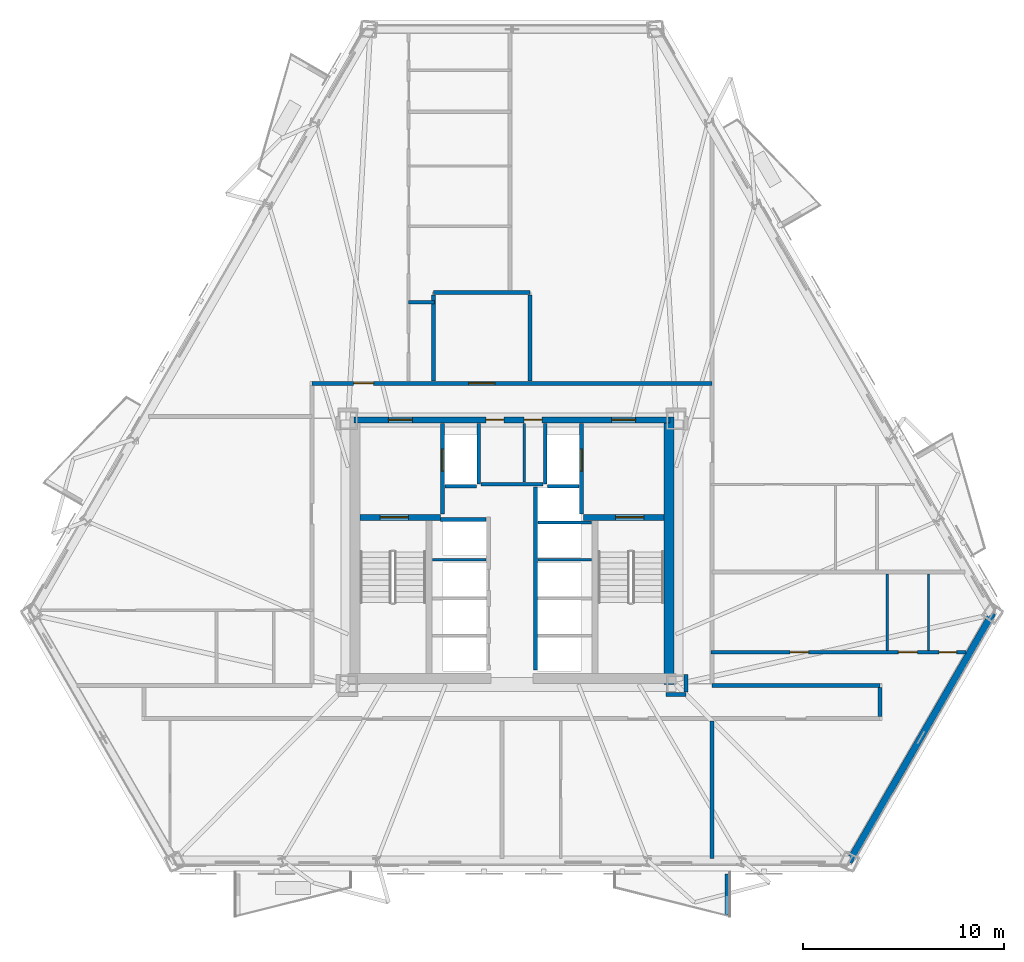
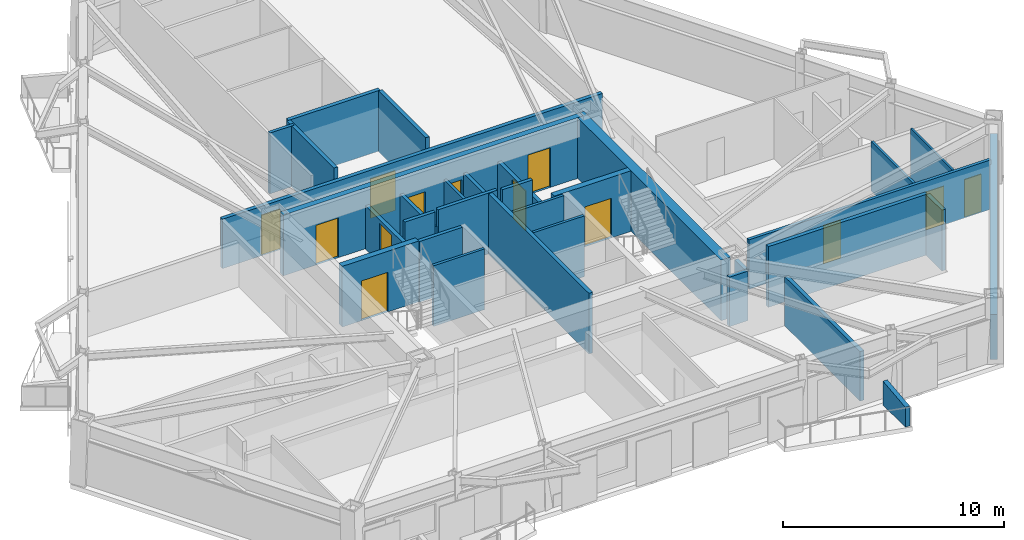
# One storey, part 4 of 10: 32 walls, 13 doors, 13 openings.
"""IFC4 building model written with IfcOpenShell, lengths in metres."""

from ifc_helpers import new_model, si_unit, direction, frame, frame_2d, origin, place, context, subcontext, project, spatial, polyline, rectangle, outline, extrude, material, layer, layer_set, type_object, element, fill, save


model = new_model("IFC4")

# Units and contexts
model_context = context("Model", 3, precision=1e-05, world=origin(), true_north=direction((0.0, 1.0)))
body_context = subcontext(model_context, "Body", "Model", "MODEL_VIEW")
ifc_project = project(units=[si_unit("LENGTHUNIT", "METRE"), si_unit("AREAUNIT", "SQUARE_METRE"), si_unit("VOLUMEUNIT", "CUBIC_METRE"), si_unit("PLANEANGLEUNIT", "RADIAN"), si_unit("MASSUNIT", "GRAM", prefix="KILO")], contexts=[model_context])

# Site, building, storey
site_placement = place(None, origin())
site = spatial("IfcSite", under=ifc_project, at=site_placement, CompositionType="ELEMENT")
building_placement = place(site_placement, origin())
building = spatial("IfcBuilding", under=site, at=building_placement, Name="Oramaril Tower", CompositionType="ELEMENT")
storey_placement = place(building_placement, frame((0.0, 0.0, 56.10009765625)))
storey = spatial("IfcBuildingStorey", under=building, at=storey_placement, Name="L14", CompositionType="ELEMENT", Elevation=56.10009765625)

# Walls
ifc_material_1 = material(Name="Warm Cream Limestone", Category="masonry")
ifc_layer_1 = layer(ifc_material_1, 0.340087890625)
ifc_layer_set_1 = layer_set([ifc_layer_1], Name="WT-EXT34")
wall_type_1 = type_object("IfcWallType", Name="WT-EXT34", PredefinedType="SOLIDWALL", material=ifc_layer_set_1)
wall_1_placement = place(storey_placement, frame((54.246826171875, 2.17626953125, 0.0), z_axis=(0.0, 0.0, 1.0), x_axis=(0.500012153807, 0.866018386667, 0.0)))
element("IfcWall", 1, at=wall_1_placement, inside=storey, type_object=wall_type_1, Name="L14 Tower Limestone Facade Wall 3M", PredefinedType="SOLIDWALL", context=body_context, shape_type="SweptSolid", body=[
    extrude(rectangle(XDim=14.298095703125, YDim=0.340087890625, at=frame_2d((7.14892578125, 0.0))), origin(), (0.0, 0.0, 1.0), 2.493896484375),
])
ifc_material_2 = material(Name="Concrete C40/50", Category="concrete")
ifc_layer_2 = layer(ifc_material_2, 0.22998046875)
ifc_layer_set_2 = layer_set([ifc_layer_2], Name="WT-PRP23")
wall_type_2 = type_object("IfcWallType", Name="WT-PRP23", PredefinedType="PARAPET", material=ifc_layer_set_2)
wall_2_placement = place(storey_placement, frame((48.20751953125, 1.578125, 0.0), z_axis=(0.0, 0.0, 1.0), x_axis=(0.0, -1.0, 0.0)))
element("IfcWall", 2, at=wall_2_placement, inside=storey, type_object=wall_type_2, Name="L14 Trapezoidal Balcony Frame Cheek L14-BAL-S2-R", PredefinedType="PARAPET", context=body_context, shape_type="SweptSolid", body=[
    extrude(outline(polyline([(0.0, 0.0), (2.0419921875, 0.0), (2.0419921875, 1.099853515625), (0.0, 1.31982421875), (0.0, 0.0)])), frame((0.0, 0.114990234375, 0.0), z_axis=(0.0, -1.0, 0.0), x_axis=(1.0, 0.0, 0.0)), (0.0, 0.0, 1.0), 0.22998046875),
])
ifc_material_3 = material(Name="Acoustic Gypsum Board Partition")
ifc_layer_3 = layer(ifc_material_3, 0.10009765625)
ifc_layer_set_3 = layer_set([ifc_layer_3], Name="WT-PT10")
wall_type_3 = type_object("IfcWallType", Name="WT-PT10", PredefinedType="PARTITIONING", material=ifc_layer_set_3)
wall_3_placement = place(storey_placement, frame((58.199951171875, 12.68408203125, 0.0), z_axis=(0.0, 0.0, 1.0), x_axis=(0.0, 1.0, 0.0)))
element("IfcWall", 3, at=wall_3_placement, inside=storey, type_object=wall_type_3, Name="L14 Interior Partition PT-10", PredefinedType="PARTITIONING", context=body_context, shape_type="SweptSolid", body=[
    extrude(rectangle(XDim=3.81201171875, YDim=0.10009765625, at=frame_2d((1.906005859375, 0.0))), origin(), (0.0, 0.0, 1.0), 2.73779296875),
])
ifc_material_4 = material(Name="Acoustic Gypsum Board Partition")
ifc_layer_4 = layer(ifc_material_4, 0.1201171875)
ifc_layer_set_4 = layer_set([ifc_layer_4], Name="WT-PT12")
wall_type_4 = type_object("IfcWallType", Name="WT-PT12", PredefinedType="PARTITIONING", material=ifc_layer_set_4)
wall_4_placement = place(storey_placement, frame((56.14990234375, 12.68408203125, 0.0), z_axis=(0.0, 0.0, 1.0), x_axis=(0.0, 1.0, 0.0)))
element("IfcWall", 4, at=wall_4_placement, inside=storey, type_object=wall_type_4, Name="L14 Interior Partition PT-12", PredefinedType="PARTITIONING", context=body_context, shape_type="SweptSolid", body=[
    extrude(rectangle(XDim=3.81201171875, YDim=0.1201171875, at=frame_2d((1.906005859375, 0.0))), origin(), (0.0, 0.0, 1.0), 2.73779296875),
])
ifc_material_5 = material(Name="Acoustic Gypsum Board Partition")
ifc_layer_5 = layer(ifc_material_5, 0.139892578125)
ifc_layer_set_5 = layer_set([ifc_layer_5], Name="WT-PT14")
wall_type_5 = type_object("IfcWallType", Name="WT-PT14", PredefinedType="PARTITIONING", material=ifc_layer_set_5)
for number, where, z_axis, x_axis, name in (
    (5, (33.56005859375, 17.199951171875, 0.0), (0.0, 0.0, 1.0), (1.0, 0.0, 0.0), "L14 West Lift Divider"),
    (6, (38.780029296875, 17.199951171875, 0.0), (0.0, 0.0, 1.0), (1.0, 0.0, 0.0), "L14 East Lift Divider"),
    (7, (38.780029296875, 19.050048828125, 0.0), (0.0, 0.0, 1.0), (1.0, 0.0, 0.0), "L14 East Lift Divider"),
):
    element("IfcWall", number, at=place(storey_placement, frame(where, z_axis=z_axis, x_axis=x_axis)), inside=storey, type_object=wall_type_5, Name=name, PredefinedType="PARTITIONING", context=body_context, shape_type="SweptSolid", body=[
        extrude(rectangle(XDim=2.659912109375, YDim=0.139892578125, at=frame_2d((1.330078125, 0.0))), origin(), (0.0, 0.0, 1.0), 3.35986328125),
    ])
wall_5_placement = place(storey_placement, frame((38.110107421875, 21.06005859375, 0.0), z_axis=(0.0, 0.0, 1.0), x_axis=(0.0, 1.0, 0.0)))
element("IfcWall", 8, at=wall_5_placement, inside=storey, type_object=wall_type_5, Name="L14 Core Service Divider", PredefinedType="PARTITIONING", context=body_context, shape_type="SweptSolid", body=[
    extrude(rectangle(XDim=2.919921875, YDim=0.139892578125, at=frame_2d((1.4599609375, 0.0))), origin(), (0.0, 0.0, 1.0), 2.39990234375),
])

# Wall, openings, doors
ifc_material_6 = material(Name="Acoustic Gypsum Board Partition")
ifc_layer_6 = layer(ifc_material_6, 0.159912109375)
ifc_layer_set_6 = layer_set([ifc_layer_6], Name="WT-PT16")
wall_type_6 = type_object("IfcWallType", Name="WT-PT16", PredefinedType="PARTITIONING", material=ifc_layer_set_6)
wall_6_placement = place(storey_placement, frame((47.39990234375, 12.60009765625, 0.0), z_axis=(0.0, 0.0, 1.0), x_axis=(1.0, 0.0, 0.0)))
wall_6 = element("IfcWall", 9, at=wall_6_placement, inside=storey, type_object=wall_type_6, Name="L14 Interior Partition PT-16", PredefinedType="PARTITIONING", context=body_context, shape_type="SweptSolid", body=[
    extrude(rectangle(XDim=12.664306640625, YDim=0.159912109375, at=frame_2d((6.33203125, 0.0))), origin(), (0.0, 0.0, 1.0), 2.73779296875),
])
opening_1_placement = place(wall_6_placement, frame((3.927001953125, 0.0, 0.0)))
opening_1 = element("IfcOpeningElement", 10, at=opening_1_placement, cuts=wall_6, Name="Opening D-L14-04", PredefinedType="OPENING", context=body_context, shape_type="SweptSolid", body=[
    extrude(rectangle(XDim=0.919921875, YDim=2.1201171875, at=frame_2d((0.4599609375, 1.06005859375))), frame((0.0, 0.080078125, 0.0), z_axis=(0.0, -1.0, 0.0), x_axis=(1.0, 0.0, 0.0)), (0.0, 0.0, 1.0), 0.159912109375),
])
opening_2_placement = place(wall_6_placement, frame((9.3037109375, 0.0, 0.0)))
opening_2 = element("IfcOpeningElement", 11, at=opening_2_placement, cuts=wall_6, Name="Opening D-L14-05", PredefinedType="OPENING", context=body_context, shape_type="SweptSolid", body=[
    extrude(rectangle(XDim=0.949951171875, YDim=2.10009765625, at=frame_2d((0.47509765625, 1.050048828125))), frame((0.0, 0.080078125, 0.0), z_axis=(0.0, -1.0, 0.0), x_axis=(1.0, 0.0, 0.0)), (0.0, 0.0, 1.0), 0.159912109375),
])
opening_3_placement = place(wall_6_placement, frame((11.32373046875, 0.0, 0.0)))
opening_3 = element("IfcOpeningElement", 12, at=opening_3_placement, cuts=wall_6, Name="Opening D-L14-06", PredefinedType="OPENING", context=body_context, shape_type="SweptSolid", body=[
    extrude(rectangle(XDim=0.8798828125, YDim=2.080078125, at=frame_2d((0.43994140625, 1.0400390625))), frame((0.0, 0.080078125, 0.0), z_axis=(0.0, -1.0, 0.0), x_axis=(1.0, 0.0, 0.0)), (0.0, 0.0, 1.0), 0.159912109375),
])
ifc_material_7 = material(Name="FSC Brazilian Freijo Hardwood", Category="wood")
door_type_1 = type_object("IfcDoorType", Name="DT-BATH", OperationType="NOTDEFINED", PredefinedType="DOOR", material=ifc_material_7)
door_1_placement = place(opening_3_placement, origin())
door_1 = element("IfcDoor", 13, at=door_1_placement, inside=storey, type_object=door_type_1, Name="L14 Flat L14-U4 Bathroom Door D-L14-06", OperationType="SINGLE_SWING_LEFT", OverallHeight=2.080078125, OverallWidth=0.8798828125, PredefinedType="DOOR", context=body_context, shape_type="SweptSolid", body=[
    extrude(rectangle(XDim=0.8798828125, YDim=2.080078125, at=frame_2d((0.43994140625, 1.0400390625))), frame((0.0, 0.02490234375, 0.0), z_axis=(0.0, -1.0, 0.0), x_axis=(1.0, 0.0, 0.0)), (0.0, 0.0, 1.0), 0.050048828125),
])
fill(opening_3, door_1)
ifc_material_8 = material(Name="FSC Brazilian Freijo Hardwood", Category="wood")
door_type_2 = type_object("IfcDoorType", Name="DT-BED", OperationType="NOTDEFINED", PredefinedType="DOOR", material=ifc_material_8)
door_2_placement = place(opening_1_placement, origin())
door_2 = element("IfcDoor", 14, at=door_2_placement, inside=storey, type_object=door_type_2, Name="L14 Flat L14-U4 Master Bedroom Door D-L14-04", OperationType="SINGLE_SWING_LEFT", OverallHeight=2.1201171875, OverallWidth=0.919921875, PredefinedType="DOOR", context=body_context, shape_type="SweptSolid", body=[
    extrude(rectangle(XDim=0.919921875, YDim=2.1201171875, at=frame_2d((0.4599609375, 1.06005859375))), frame((0.0, 0.02490234375, 0.0), z_axis=(0.0, -1.0, 0.0), x_axis=(1.0, 0.0, 0.0)), (0.0, 0.0, 1.0), 0.050048828125),
])
fill(opening_1, door_2)
ifc_material_9 = material(Name="FSC Brazilian Freijo Hardwood", Category="wood")
door_type_3 = type_object("IfcDoorType", Name="DT-STDY", OperationType="NOTDEFINED", PredefinedType="DOOR", material=ifc_material_9)
door_3_placement = place(opening_2_placement, origin())
door_3 = element("IfcDoor", 15, at=door_3_placement, inside=storey, type_object=door_type_3, Name="L14 Flat L14-U4 Kitchen Door D-L14-05", OperationType="SINGLE_SWING_RIGHT", OverallHeight=2.10009765625, OverallWidth=0.949951171875, PredefinedType="DOOR", context=body_context, shape_type="SweptSolid", body=[
    extrude(rectangle(XDim=0.949951171875, YDim=2.10009765625, at=frame_2d((0.47509765625, 1.050048828125))), frame((0.0, 0.02490234375, 0.0), z_axis=(0.0, -1.0, 0.0), x_axis=(1.0, 0.0, 0.0)), (0.0, 0.0, 1.0), 0.050048828125),
])
fill(opening_2, door_3)

# Walls
wall_7_placement = place(storey_placement, frame((32.363525390625, 30.0, 0.0), z_axis=(0.0, 0.0, 1.0), x_axis=(1.0, 0.0, 0.0)))
element("IfcWall", 16, at=wall_7_placement, inside=storey, type_object=wall_type_6, Name="L14 Interior Partition PT-16", PredefinedType="PARTITIONING", context=body_context, shape_type="SweptSolid", body=[
    extrude(rectangle(XDim=1.286376953125, YDim=0.159912109375, at=frame_2d((0.64306640625, 0.0))), origin(), (0.0, 0.0, 1.0), 3.35986328125),
])
ifc_material_10 = material(Name="Autoclaved Cellular Concrete Block", Category="concrete")
ifc_layer_7 = layer(ifc_material_10, 0.179931640625)
ifc_layer_set_7 = layer_set([ifc_layer_7], Name="WT-PT18")
wall_type_7 = type_object("IfcWallType", Name="WT-PT18", PredefinedType="PARTITIONING", material=ifc_layer_set_7)
wall_8_placement = place(storey_placement, frame((35.840087890625, 20.9599609375, 0.0), z_axis=(0.0, 0.0, 1.0), x_axis=(0.0, 1.0, 0.0)))
element("IfcWall", 17, at=wall_8_placement, inside=storey, type_object=wall_type_7, Name="L14 FL-1 East Shaft Wall", PredefinedType="PARTITIONING", context=body_context, shape_type="SweptSolid", body=[
    extrude(rectangle(XDim=3.02001953125, YDim=0.179931640625, at=frame_2d((1.510009765625, 0.0))), origin(), (0.0, 0.0, 1.0), 2.39990234375),
])
wall_9_placement = place(storey_placement, frame((34.159912109375, 20.860107421875, 0.0), z_axis=(0.0, 0.0, 1.0), x_axis=(1.0, 0.0, 0.0)))
element("IfcWall", 18, at=wall_9_placement, inside=storey, type_object=wall_type_7, Name="L14 FL-1 South Shaft Wall", PredefinedType="PARTITIONING", context=body_context, shape_type="SweptSolid", body=[
    extrude(rectangle(XDim=1.580078125, YDim=0.179931640625, at=frame_2d((0.7900390625, 0.0))), origin(), (0.0, 0.0, 1.0), 3.35986328125),
])
wall_10_placement = place(storey_placement, frame((39.159912109375, 20.9599609375, 0.0), z_axis=(0.0, 0.0, 1.0), x_axis=(0.0, 1.0, 0.0)))
element("IfcWall", 19, at=wall_10_placement, inside=storey, type_object=wall_type_7, Name="L14 FL-2 West Shaft Wall", PredefinedType="PARTITIONING", context=body_context, shape_type="SweptSolid", body=[
    extrude(rectangle(XDim=3.02001953125, YDim=0.179931640625, at=frame_2d((1.510009765625, 0.0))), origin(), (0.0, 0.0, 1.0), 2.39990234375),
])
wall_11_placement = place(storey_placement, frame((39.260009765625, 20.860107421875, 0.0), z_axis=(0.0, 0.0, 1.0), x_axis=(1.0, 0.0, 0.0)))
element("IfcWall", 20, at=wall_11_placement, inside=storey, type_object=wall_type_7, Name="L14 FL-2 South Shaft Wall", PredefinedType="PARTITIONING", context=body_context, shape_type="SweptSolid", body=[
    extrude(rectangle(XDim=1.580078125, YDim=0.179931640625, at=frame_2d((0.7900390625, 0.0))), origin(), (0.0, 0.0, 1.0), 3.35986328125),
])
wall_12_placement = place(storey_placement, frame((33.949951171875, 19.199951171875, 0.0), z_axis=(0.0, 0.0, 1.0), x_axis=(1.0, 0.0, 0.0)))
element("IfcWall", 21, at=wall_12_placement, inside=storey, type_object=wall_type_7, Name="L14 High-Rise Lift H1 North Shaft Wall", PredefinedType="PARTITIONING", context=body_context, shape_type="SweptSolid", body=[
    extrude(rectangle(XDim=2.27001953125, YDim=0.179931640625, at=frame_2d((1.135009765625, 0.0))), origin(), (0.0, 0.0, 1.0), 3.35986328125),
])
wall_13_placement = place(storey_placement, frame((35.949951171875, 20.949951171875, 0.0), z_axis=(0.0, 0.0, 1.0), x_axis=(1.0, 0.0, 0.0)))
element("IfcWall", 22, at=wall_13_placement, inside=storey, type_object=wall_type_7, Name="L14 Lift Lobby North Partition", PredefinedType="PARTITIONING", context=body_context, shape_type="SweptSolid", body=[
    extrude(rectangle(XDim=3.10009765625, YDim=0.179931640625, at=frame_2d((1.550048828125, 0.0))), origin(), (0.0, 0.0, 1.0), 3.35986328125),
])
ifc_material_11 = material(Name="Autoclaved Cellular Concrete Block", Category="concrete")
ifc_layer_8 = layer(ifc_material_11, 0.199951171875)
ifc_layer_set_8 = layer_set([ifc_layer_8], Name="WT-PT20")
wall_type_8 = type_object("IfcWallType", Name="WT-PT20", PredefinedType="PARTITIONING", material=ifc_layer_set_8)
wall_14_placement = place(storey_placement, frame((45.159912109375, 10.510009765625, 0.0), z_axis=(0.0, 0.0, 1.0), x_axis=(1.0, 0.0, 0.0)))
element("IfcWall", 23, at=wall_14_placement, inside=storey, type_object=wall_type_8, Name="L14 Interior Partition PT-20", PredefinedType="PARTITIONING", context=body_context, shape_type="SweptSolid", body=[
    extrude(rectangle(XDim=0.97998046875, YDim=0.199951171875, at=frame_2d((0.489990234375, 0.0))), origin(), (0.0, 0.0, 1.0), 2.73779296875),
])
wall_15_placement = place(storey_placement, frame((47.449951171875, 10.949951171875, 0.0), z_axis=(0.0, 0.0, 1.0), x_axis=(1.0, 0.0, 0.0)))
element("IfcWall", 24, at=wall_15_placement, inside=storey, type_object=wall_type_8, Name="L14 Interior Partition PT-20", PredefinedType="PARTITIONING", context=body_context, shape_type="SweptSolid", body=[
    extrude(rectangle(XDim=8.35009765625, YDim=0.199951171875, at=frame_2d((4.175048828125, 0.0))), origin(), (0.0, 0.0, 1.0), 3.35986328125),
])

# Wall, openings, doors
wall_16_placement = place(storey_placement, frame((27.550048828125, 25.969970703125, 0.0), z_axis=(0.0, 0.0, 1.0), x_axis=(1.0, 0.0, 0.0)))
wall_16 = element("IfcWall", 25, at=wall_16_placement, inside=storey, type_object=wall_type_8, Name="L14 Interior Partition PT-20", PredefinedType="PARTITIONING", context=body_context, shape_type="SweptSolid", body=[
    extrude(rectangle(XDim=19.89990234375, YDim=0.199951171875, at=frame_2d((9.949951171875, 0.0))), origin(), (0.0, 0.0, 1.0), 2.73779296875),
])
opening_4_placement = place(wall_16_placement, frame((2.076904296875, 0.0, 0.0)))
opening_4 = element("IfcOpeningElement", 26, at=opening_4_placement, cuts=wall_16, Name="Opening D-L14-13", PredefinedType="OPENING", context=body_context, shape_type="SweptSolid", body=[
    extrude(rectangle(XDim=1.0, YDim=2.179931640625, at=frame_2d((0.5, 1.08984375))), frame((0.0, 0.10009765625, 0.0), z_axis=(0.0, -1.0, 0.0), x_axis=(1.0, 0.0, 0.0)), (0.0, 0.0, 1.0), 0.199951171875),
])
opening_5_placement = place(wall_16_placement, frame((7.800048828125, 0.0, 0.0)))
opening_5 = element("IfcOpeningElement", 27, at=opening_5_placement, cuts=wall_16, Name="Opening D-L14-14", PredefinedType="OPENING", context=body_context, shape_type="SweptSolid", body=[
    extrude(rectangle(XDim=1.300048828125, YDim=2.199951171875, at=frame_2d((0.64990234375, 1.10009765625))), frame((0.0, 0.10009765625, 0.0), z_axis=(0.0, -1.0, 0.0), x_axis=(1.0, 0.0, 0.0)), (0.0, 0.0, 1.0), 0.199951171875),
])
ifc_material_12 = material(Name="FSC Brazilian Freijo Hardwood", Category="wood")
door_type_4 = type_object("IfcDoorType", Name="DT-APT", OperationType="NOTDEFINED", PredefinedType="DOOR", material=ifc_material_12)
door_4_placement = place(opening_4_placement, origin())
door_4 = element("IfcDoor", 28, at=door_4_placement, inside=storey, type_object=door_type_4, Name="L14 Flat L14-U6 Penthouse Living and Dining Room Door D-L14-13", OperationType="SINGLE_SWING_RIGHT", OverallHeight=2.179931640625, OverallWidth=1.0, PredefinedType="DOOR", context=body_context, shape_type="SweptSolid", body=[
    extrude(rectangle(XDim=1.0, YDim=2.179931640625, at=frame_2d((0.5, 1.08984375))), frame((0.0, 0.02490234375, 0.0), z_axis=(0.0, -1.0, 0.0), x_axis=(1.0, 0.0, 0.0)), (0.0, 0.0, 1.0), 0.050048828125),
])
fill(opening_4, door_4)
ifc_material_13 = material(Name="FSC Brazilian Freijo Hardwood", Category="wood")
door_type_5 = type_object("IfcDoorType", Name="DT-COM", OperationType="NOTDEFINED", PredefinedType="DOOR", material=ifc_material_13)
door_5_placement = place(opening_5_placement, origin())
door_5 = element("IfcDoor", 29, at=door_5_placement, inside=storey, type_object=door_type_5, Name="L14 L14 Residents Reading Library Door D-L14-14", OperationType="SINGLE_SWING_LEFT", OverallHeight=2.199951171875, OverallWidth=1.300048828125, PredefinedType="DOOR", context=body_context, shape_type="SweptSolid", body=[
    extrude(rectangle(XDim=1.300048828125, YDim=2.199951171875, at=frame_2d((0.64990234375, 1.10009765625))), frame((0.0, 0.02490234375, 0.0), z_axis=(0.0, -1.0, 0.0), x_axis=(1.0, 0.0, 0.0)), (0.0, 0.0, 1.0), 0.050048828125),
])
fill(opening_5, door_5)

# Walls
wall_17_placement = place(storey_placement, frame((33.60009765625, 30.469970703125, 0.0), z_axis=(0.0, 0.0, 1.0), x_axis=(1.0, 0.0, 0.0)))
element("IfcWall", 30, at=wall_17_placement, inside=storey, type_object=wall_type_8, Name="L14 Interior Partition PT-20", PredefinedType="PARTITIONING", context=body_context, shape_type="SweptSolid", body=[
    extrude(rectangle(XDim=4.7998046875, YDim=0.199951171875, at=frame_2d((2.39990234375, 0.0))), origin(), (0.0, 0.0, 1.0), 3.35986328125),
])
for number, where, z_axis, x_axis, name in (
    (31, (33.60009765625, 26.073974609375, 0.0), (0.0, 0.0, 1.0), (0.0, 1.0, 0.0), "L14 Interior Partition PT-20"),
    (32, (38.39990234375, 26.073974609375, 0.0), (0.0, 0.0, 1.0), (0.0, 1.0, 0.0), "L14 Interior Partition PT-20"),
):
    element("IfcWall", number, at=place(storey_placement, frame(where, z_axis=z_axis, x_axis=x_axis)), inside=storey, type_object=wall_type_8, Name=name, PredefinedType="PARTITIONING", context=body_context, shape_type="SweptSolid", body=[
        extrude(rectangle(XDim=4.2919921875, YDim=0.199951171875, at=frame_2d((2.14599609375, 0.0))), origin(), (0.0, 0.0, 1.0), 3.35986328125),
    ])
wall_18_placement = place(storey_placement, frame((46.14990234375, 10.614013671875, 0.0), z_axis=(0.0, 0.0, 1.0), x_axis=(0.0, 1.0, 0.0)))
element("IfcWall", 33, at=wall_18_placement, inside=storey, type_object=wall_type_8, Name="L14 Interior Partition PT-20", PredefinedType="PARTITIONING", context=body_context, shape_type="SweptSolid", body=[
    extrude(rectangle(XDim=0.881103515625, YDim=0.199951171875, at=frame_2d((0.4404296875, 0.0))), origin(), (0.0, 0.0, 1.0), 2.73779296875),
])
wall_19_placement = place(storey_placement, frame((47.449951171875, 2.35009765625, 0.0), z_axis=(0.0, 0.0, 1.0), x_axis=(0.0, 1.0, 0.0)))
element("IfcWall", 34, at=wall_19_placement, inside=storey, type_object=wall_type_8, Name="L14 Interior Partition PT-20", PredefinedType="PARTITIONING", context=body_context, shape_type="SweptSolid", body=[
    extrude(rectangle(XDim=6.845947265625, YDim=0.199951171875, at=frame_2d((3.4228515625, 0.0))), origin(), (0.0, 0.0, 1.0), 2.73779296875),
])
wall_20_placement = place(storey_placement, frame((55.800048828125, 9.404052734375, 0.0), z_axis=(0.0, 0.0, 1.0), x_axis=(0.0, 1.0, 0.0)))
element("IfcWall", 35, at=wall_20_placement, inside=storey, type_object=wall_type_8, Name="L14 Interior Partition PT-20", PredefinedType="PARTITIONING", context=body_context, shape_type="SweptSolid", body=[
    extrude(rectangle(XDim=1.44189453125, YDim=0.199951171875, at=frame_2d((0.720947265625, 0.0))), origin(), (0.0, 0.0, 1.0), 3.35986328125),
])

# Wall, openings, doors
ifc_material_14 = material(Name="Concrete C50/60", Category="concrete")
ifc_layer_9 = layer(ifc_material_14, 0.300048828125)
ifc_layer_set_9 = layer_set([ifc_layer_9], Name="WT-SH30")
wall_type_9 = type_object("IfcWallType", Name="WT-SH30", PredefinedType="SHEAR", material=ifc_layer_set_9)
wall_21_placement = place(storey_placement, frame((29.64990234375, 24.14990234375, 0.0), z_axis=(0.0, 0.0, 1.0), x_axis=(1.0, 0.0, 0.0)))
wall_21 = element("IfcWall", 36, at=wall_21_placement, inside=storey, type_object=wall_type_9, Name="L14 Core Shear Wall CW-N", PredefinedType="SHEAR", context=body_context, shape_type="SweptSolid", body=[
    extrude(rectangle(XDim=15.7001953125, YDim=0.300048828125, at=frame_2d((7.85009765625, 0.0))), origin(), (0.0, 0.0, 1.0), 3.35986328125),
])
opening_6_placement = place(wall_21_placement, frame((1.699951171875, 0.0, 0.0)))
opening_6 = element("IfcOpeningElement", 37, at=opening_6_placement, cuts=wall_21, Name="Opening D-L14-FFL1", PredefinedType="OPENING", context=body_context, shape_type="SweptSolid", body=[
    extrude(rectangle(XDim=1.199951171875, YDim=2.199951171875, at=frame_2d((0.60009765625, 1.10009765625))), frame((0.0, 0.14990234375, 0.0), z_axis=(0.0, -1.0, 0.0), x_axis=(1.0, 0.0, 0.0)), (0.0, 0.0, 1.0), 0.300048828125),
])
opening_7_placement = place(wall_21_placement, frame((12.800048828125, 0.0, 0.0)))
opening_7 = element("IfcOpeningElement", 38, at=opening_7_placement, cuts=wall_21, Name="Opening D-L14-FFL2", PredefinedType="OPENING", context=body_context, shape_type="SweptSolid", body=[
    extrude(rectangle(XDim=1.199951171875, YDim=2.199951171875, at=frame_2d((0.60009765625, 1.10009765625))), frame((0.0, 0.14990234375, 0.0), z_axis=(0.0, -1.0, 0.0), x_axis=(1.0, 0.0, 0.0)), (0.0, 0.0, 1.0), 0.300048828125),
])
opening_8_placement = place(wall_21_placement, frame((6.550048828125, 0.0, 0.0)))
opening_8 = element("IfcOpeningElement", 39, at=opening_8_placement, cuts=wall_21, Name="Opening D-L14-SV1", PredefinedType="OPENING", context=body_context, shape_type="SweptSolid", body=[
    extrude(rectangle(XDim=0.89990234375, YDim=2.050048828125, at=frame_2d((0.449951171875, 1.02490234375))), frame((0.0, 0.14990234375, 0.0), z_axis=(0.0, -1.0, 0.0), x_axis=(1.0, 0.0, 0.0)), (0.0, 0.0, 1.0), 0.300048828125),
])
opening_9_placement = place(wall_21_placement, frame((8.449951171875, 0.0, 0.0)))
opening_9 = element("IfcOpeningElement", 40, at=opening_9_placement, cuts=wall_21, Name="Opening D-L14-SV2", PredefinedType="OPENING", context=body_context, shape_type="SweptSolid", body=[
    extrude(rectangle(XDim=0.89990234375, YDim=2.050048828125, at=frame_2d((0.449951171875, 1.02490234375))), frame((0.0, 0.14990234375, 0.0), z_axis=(0.0, -1.0, 0.0), x_axis=(1.0, 0.0, 0.0)), (0.0, 0.0, 1.0), 0.300048828125),
])
ifc_material_15 = material(Name="Painted Galvanised Steel", Category="steel")
door_type_6 = type_object("IfcDoorType", Name="DT-FFL", OperationType="NOTDEFINED", PredefinedType="DOOR", material=ifc_material_15)
door_6_placement = place(opening_6_placement, origin())
door_6 = element("IfcDoor", 41, at=door_6_placement, inside=storey, type_object=door_type_6, Name="L14 Firefighting Lobby 1 Fire Door", OperationType="SINGLE_SWING_LEFT", OverallHeight=2.199951171875, OverallWidth=1.199951171875, PredefinedType="DOOR", context=body_context, shape_type="SweptSolid", body=[
    extrude(rectangle(XDim=1.199951171875, YDim=2.199951171875, at=frame_2d((0.60009765625, 1.10009765625))), frame((0.0, 0.02490234375, 0.0), z_axis=(0.0, -1.0, 0.0), x_axis=(1.0, 0.0, 0.0)), (0.0, 0.0, 1.0), 0.050048828125),
])
fill(opening_6, door_6)
door_7_placement = place(opening_7_placement, origin())
door_7 = element("IfcDoor", 42, at=door_7_placement, inside=storey, type_object=door_type_6, Name="L14 Firefighting Lobby 2 Fire Door", OperationType="SINGLE_SWING_RIGHT", OverallHeight=2.199951171875, OverallWidth=1.199951171875, PredefinedType="DOOR", context=body_context, shape_type="SweptSolid", body=[
    extrude(rectangle(XDim=1.199951171875, YDim=2.199951171875, at=frame_2d((0.60009765625, 1.10009765625))), frame((0.0, 0.02490234375, 0.0), z_axis=(0.0, -1.0, 0.0), x_axis=(1.0, 0.0, 0.0)), (0.0, 0.0, 1.0), 0.050048828125),
])
fill(opening_7, door_7)
ifc_material_16 = material(Name="Painted Galvanised Steel", Category="steel")
door_type_7 = type_object("IfcDoorType", Name="DT-SVC", OperationType="NOTDEFINED", PredefinedType="DOOR", material=ifc_material_16)
door_8_placement = place(opening_8_placement, origin())
door_8 = element("IfcDoor", 43, at=door_8_placement, inside=storey, type_object=door_type_7, Name="L14 Core Service Store 1 Door", OperationType="SINGLE_SWING_LEFT", OverallHeight=2.050048828125, OverallWidth=0.89990234375, PredefinedType="DOOR", context=body_context, shape_type="SweptSolid", body=[
    extrude(rectangle(XDim=0.89990234375, YDim=2.050048828125, at=frame_2d((0.449951171875, 1.02490234375))), frame((0.0, 0.02490234375, 0.0), z_axis=(0.0, -1.0, 0.0), x_axis=(1.0, 0.0, 0.0)), (0.0, 0.0, 1.0), 0.050048828125),
])
fill(opening_8, door_8)
door_9_placement = place(opening_9_placement, origin())
door_9 = element("IfcDoor", 44, at=door_9_placement, inside=storey, type_object=door_type_7, Name="L14 Core Service Store 2 Door", OperationType="SINGLE_SWING_RIGHT", OverallHeight=2.050048828125, OverallWidth=0.89990234375, PredefinedType="DOOR", context=body_context, shape_type="SweptSolid", body=[
    extrude(rectangle(XDim=0.89990234375, YDim=2.050048828125, at=frame_2d((0.449951171875, 1.02490234375))), frame((0.0, 0.02490234375, 0.0), z_axis=(0.0, -1.0, 0.0), x_axis=(1.0, 0.0, 0.0)), (0.0, 0.0, 1.0), 0.050048828125),
])
fill(opening_9, door_9)

# Wall, opening, door
wall_22_placement = place(storey_placement, frame((29.93994140625, 19.31005859375, 0.0), z_axis=(0.0, 0.0, 1.0), x_axis=(1.0, 0.0, 0.0)))
wall_22 = element("IfcWall", 45, at=wall_22_placement, inside=storey, type_object=wall_type_9, Name="L14 Core Shear Wall CW-ST1N", PredefinedType="SHEAR", context=body_context, shape_type="SweptSolid", body=[
    extrude(rectangle(XDim=4.010009765625, YDim=0.300048828125, at=frame_2d((2.0048828125, 0.0))), origin(), (0.0, 0.0, 1.0), 3.35986328125),
])
opening_10_placement = place(wall_22_placement, frame((1.010009765625, 0.0, 0.0)))
opening_10 = element("IfcOpeningElement", 46, at=opening_10_placement, cuts=wall_22, Name="Opening D-L14-ST1", PredefinedType="OPENING", context=body_context, shape_type="SweptSolid", body=[
    extrude(rectangle(XDim=1.39990234375, YDim=2.199951171875, at=frame_2d((0.699951171875, 1.10009765625))), frame((0.0, 0.14990234375, 0.0), z_axis=(0.0, -1.0, 0.0), x_axis=(1.0, 0.0, 0.0)), (0.0, 0.0, 1.0), 0.300048828125),
])
ifc_material_17 = material(Name="Painted Galvanised Steel", Category="steel")
door_type_8 = type_object("IfcDoorType", Name="DT-ST", OperationType="NOTDEFINED", PredefinedType="DOOR", material=ifc_material_17)
door_10_placement = place(opening_10_placement, origin())
door_10 = element("IfcDoor", 47, at=door_10_placement, inside=storey, type_object=door_type_8, Name="L14 Protected Stair ST-1 Fire Door", OperationType="SINGLE_SWING_LEFT", OverallHeight=2.199951171875, OverallWidth=1.39990234375, PredefinedType="DOOR", context=body_context, shape_type="SweptSolid", body=[
    extrude(rectangle(XDim=1.39990234375, YDim=2.199951171875, at=frame_2d((0.699951171875, 1.10009765625))), frame((0.0, 0.02490234375, 0.0), z_axis=(0.0, -1.0, 0.0), x_axis=(1.0, 0.0, 0.0)), (0.0, 0.0, 1.0), 0.050048828125),
])
fill(opening_10, door_10)

wall_23_placement = place(storey_placement, frame((41.050048828125, 19.31005859375, 0.0), z_axis=(0.0, 0.0, 1.0), x_axis=(1.0, 0.0, 0.0)))
wall_23 = element("IfcWall", 48, at=wall_23_placement, inside=storey, type_object=wall_type_9, Name="L14 Core Shear Wall CW-ST2N", PredefinedType="SHEAR", context=body_context, shape_type="SweptSolid", body=[
    extrude(rectangle(XDim=4.010009765625, YDim=0.300048828125, at=frame_2d((2.0048828125, 0.0))), origin(), (0.0, 0.0, 1.0), 3.35986328125),
])
opening_11_placement = place(wall_23_placement, frame((1.60009765625, 0.0, 0.0)))
opening_11 = element("IfcOpeningElement", 49, at=opening_11_placement, cuts=wall_23, Name="Opening D-L14-ST2", PredefinedType="OPENING", context=body_context, shape_type="SweptSolid", body=[
    extrude(rectangle(XDim=1.39990234375, YDim=2.199951171875, at=frame_2d((0.699951171875, 1.10009765625))), frame((0.0, 0.14990234375, 0.0), z_axis=(0.0, -1.0, 0.0), x_axis=(1.0, 0.0, 0.0)), (0.0, 0.0, 1.0), 0.300048828125),
])
door_11_placement = place(opening_11_placement, origin())
door_11 = element("IfcDoor", 50, at=door_11_placement, inside=storey, type_object=door_type_8, Name="L14 Protected Stair ST-2 Fire Door", OperationType="SINGLE_SWING_RIGHT", OverallHeight=2.199951171875, OverallWidth=1.39990234375, PredefinedType="DOOR", context=body_context, shape_type="SweptSolid", body=[
    extrude(rectangle(XDim=1.39990234375, YDim=2.199951171875, at=frame_2d((0.699951171875, 1.10009765625))), frame((0.0, 0.02490234375, 0.0), z_axis=(0.0, -1.0, 0.0), x_axis=(1.0, 0.0, 0.0)), (0.0, 0.0, 1.0), 0.050048828125),
])
fill(opening_11, door_11)

# Wall
ifc_material_18 = material(Name="Concrete C50/60", Category="concrete")
ifc_layer_10 = layer(ifc_material_18, 0.5)
ifc_layer_set_10 = layer_set([ifc_layer_10], Name="WT-SH50")
wall_type_10 = type_object("IfcWallType", Name="WT-SH50", PredefinedType="SHEAR", material=ifc_layer_set_10)
wall_24_placement = place(storey_placement, frame((45.31005859375, 11.0, 0.0), z_axis=(0.0, 0.0, 1.0), x_axis=(0.0, 1.0, 0.0)))
element("IfcWall", 51, at=wall_24_placement, inside=storey, type_object=wall_type_10, Name="L14 Core Shear Wall CW-E", PredefinedType="SHEAR", context=body_context, shape_type="SweptSolid", body=[
    extrude(rectangle(XDim=13.300048828125, YDim=0.5, at=frame_2d((6.64990234375, 0.0))), origin(), (0.0, 0.0, 1.0), 3.35986328125),
])

# Wall, opening, door
ifc_material_19 = material(Name="Autoclaved Cellular Concrete Block", Category="concrete")
ifc_layer_11 = layer(ifc_material_19, 0.199951171875)
ifc_layer_set_11 = layer_set([ifc_layer_11], Name="WT-SHF20")
wall_type_11 = type_object("IfcWallType", Name="WT-SHF20", PredefinedType="PARTITIONING", material=ifc_layer_set_11)
wall_25_placement = place(storey_placement, frame((34.0400390625, 19.47998046875, 0.0), z_axis=(0.0, 0.0, 1.0), x_axis=(0.0, 1.0, 0.0)))
wall_25 = element("IfcWall", 52, at=wall_25_placement, inside=storey, type_object=wall_type_11, Name="L14 FL-1 Lobby Shaft Wall", PredefinedType="PARTITIONING", context=body_context, shape_type="SweptSolid", body=[
    extrude(rectangle(XDim=4.5, YDim=0.199951171875, at=frame_2d((2.25, 0.0))), origin(), (0.0, 0.0, 1.0), 2.39990234375),
])
opening_12_placement = place(wall_25_placement, frame((2.1201171875, 0.0, 0.0)))
opening_12 = element("IfcOpeningElement", 53, at=opening_12_placement, cuts=wall_25, Name="Opening LD-L14-FL-1", PredefinedType="OPENING", context=body_context, shape_type="SweptSolid", body=[
    extrude(rectangle(XDim=1.10009765625, YDim=2.199951171875, at=frame_2d((0.550048828125, 1.10009765625))), frame((0.0, 0.10009765625, 0.0), z_axis=(0.0, -1.0, 0.0), x_axis=(1.0, 0.0, 0.0)), (0.0, 0.0, 1.0), 0.199951171875),
])
ifc_material_20 = material(Name="Stainless Steel 316L", Category="steel")
door_type_9 = type_object("IfcDoorType", Name="DT-LD1", OperationType="NOTDEFINED", PredefinedType="DOOR", material=ifc_material_20)
door_12_placement = place(opening_12_placement, origin())
door_12 = element("IfcDoor", 54, at=door_12_placement, inside=storey, type_object=door_type_9, Name="L14 Lift FL-1 Sliding Landing Door", OperationType="SLIDING_TO_LEFT", OverallHeight=2.199951171875, OverallWidth=1.10009765625, PredefinedType="DOOR", context=body_context, shape_type="SweptSolid", body=[
    extrude(rectangle(XDim=1.10009765625, YDim=2.199951171875, at=frame_2d((0.550048828125, 1.10009765625))), frame((0.0, 0.02490234375, 0.0), z_axis=(0.0, -1.0, 0.0), x_axis=(1.0, 0.0, 0.0)), (0.0, 0.0, 1.0), 0.050048828125),
])
fill(opening_12, door_12)

wall_26_placement = place(storey_placement, frame((40.9599609375, 19.47998046875, 0.0), z_axis=(0.0, 0.0, 1.0), x_axis=(0.0, 1.0, 0.0)))
wall_26 = element("IfcWall", 55, at=wall_26_placement, inside=storey, type_object=wall_type_11, Name="L14 FL-2 Lobby Shaft Wall", PredefinedType="PARTITIONING", context=body_context, shape_type="SweptSolid", body=[
    extrude(rectangle(XDim=4.5, YDim=0.199951171875, at=frame_2d((2.25, 0.0))), origin(), (0.0, 0.0, 1.0), 2.39990234375),
])
opening_13_placement = place(wall_26_placement, frame((2.1201171875, 0.0, 0.0)))
opening_13 = element("IfcOpeningElement", 56, at=opening_13_placement, cuts=wall_26, Name="Opening LD-L14-FL-2", PredefinedType="OPENING", context=body_context, shape_type="SweptSolid", body=[
    extrude(rectangle(XDim=1.10009765625, YDim=2.199951171875, at=frame_2d((0.550048828125, 1.10009765625))), frame((0.0, 0.10009765625, 0.0), z_axis=(0.0, -1.0, 0.0), x_axis=(1.0, 0.0, 0.0)), (0.0, 0.0, 1.0), 0.199951171875),
])
door_13_placement = place(opening_13_placement, origin())
door_13 = element("IfcDoor", 57, at=door_13_placement, inside=storey, type_object=door_type_9, Name="L14 Lift FL-2 Sliding Landing Door", OperationType="SLIDING_TO_RIGHT", OverallHeight=2.199951171875, OverallWidth=1.10009765625, PredefinedType="DOOR", context=body_context, shape_type="SweptSolid", body=[
    extrude(rectangle(XDim=1.10009765625, YDim=2.199951171875, at=frame_2d((0.550048828125, 1.10009765625))), frame((0.0, 0.02490234375, 0.0), z_axis=(0.0, -1.0, 0.0), x_axis=(1.0, 0.0, 0.0)), (0.0, 0.0, 1.0), 0.050048828125),
])
fill(opening_13, door_13)

# Wall
wall_27_placement = place(storey_placement, frame((38.659912109375, 11.719970703125, 0.0), z_axis=(0.0, 0.0, 1.0), x_axis=(0.0, 1.0, 0.0)))
element("IfcWall", 58, at=wall_27_placement, inside=storey, type_object=wall_type_11, Name="L14 East Lift Bank Front Wall", PredefinedType="PARTITIONING", context=body_context, shape_type="SweptSolid", body=[
    extrude(rectangle(XDim=9.10009765625, YDim=0.199951171875, at=frame_2d((4.550048828125, 0.0))), origin(), (0.0, 0.0, 1.0), 3.35986328125),
])

save(model, "model.ifc")
